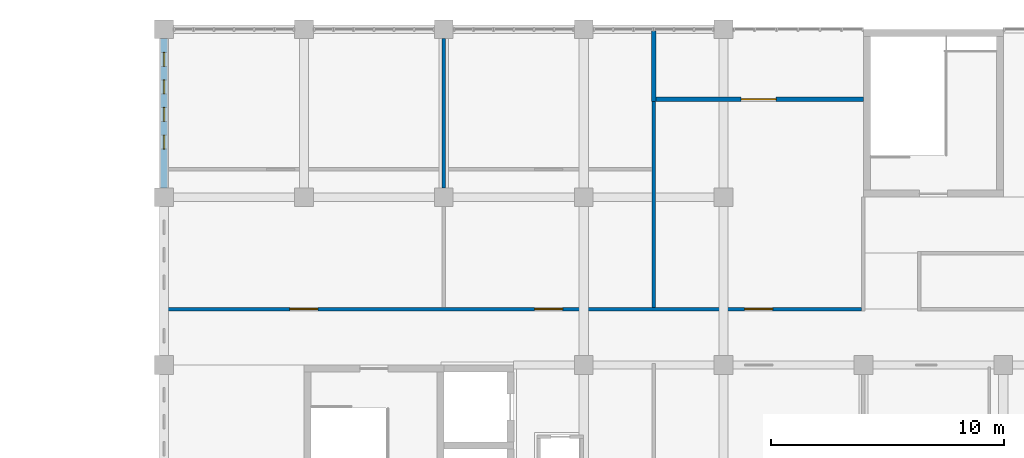
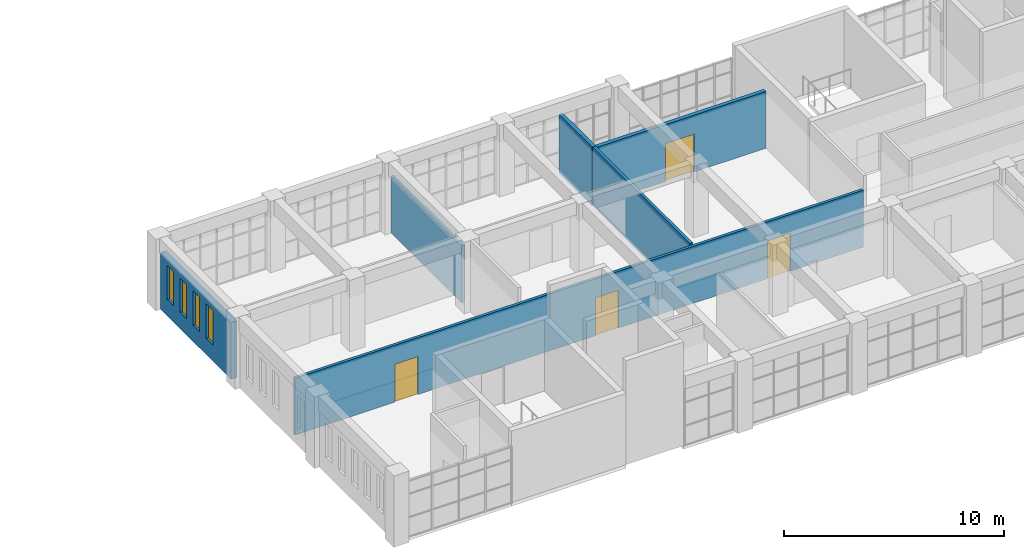
# One storey, part 37 of 51: 6 walls, 4 doors, 4 windows, 8 openings.
"""IFC4 building model written with IfcOpenShell, lengths in metres."""

from ifc_helpers import new_model, si_unit, direction, frame, frame_2d, origin, place, context, subcontext, project, spatial, rectangle, extrude, material, layer, layer_set, type_object, element, fill, save


model = new_model("IFC4")

# Units and contexts
model_context = context("Model", 3, precision=1e-05, world=origin(), true_north=direction((0.0, 1.0)))
body_context = subcontext(model_context, "Body", "Model", "MODEL_VIEW")
ifc_project = project(units=[si_unit("LENGTHUNIT", "METRE"), si_unit("AREAUNIT", "SQUARE_METRE"), si_unit("VOLUMEUNIT", "CUBIC_METRE"), si_unit("PLANEANGLEUNIT", "RADIAN"), si_unit("MASSUNIT", "GRAM", prefix="KILO")], contexts=[model_context])

# Site, building, storey
site_placement = place(None, origin())
site = spatial("IfcSite", under=ifc_project, at=site_placement, CompositionType="ELEMENT")
building_placement = place(site_placement, origin())
building = spatial("IfcBuilding", under=site, at=building_placement, Name="Laocheng Heights Fire and Rescue Headquarters", CompositionType="ELEMENT")
storey_placement = place(building_placement, frame((0.0, 0.0, 21.0)))
storey = spatial("IfcBuildingStorey", under=building, at=storey_placement, Name="L05", CompositionType="ELEMENT", Elevation=21.0)

# Walls
ifc_material_1 = material(Name="Gypsum plaster")
ifc_layer_1 = layer(ifc_material_1, 0.010009765625, Name="PLASTER", Category="plaster")
ifc_material_2 = material(Name="Concrete blockwork MU10", Category="masonry")
ifc_layer_2 = layer(ifc_material_2, 0.1298828125, Name="BLOCKWORK", Category="masonry")
ifc_layer_3 = layer(ifc_material_1, 0.010009765625, Name="PLASTER", Category="plaster")
ifc_layer_set_1 = layer_set([ifc_layer_1, ifc_layer_2, ifc_layer_3], Name="Concrete blockwork MU10")
wall_type_1 = type_object("IfcWallType", Name="BLOCKWORK CORRIDOR WALL 150 EI 60 HQ WING", PredefinedType="PARTITIONING", material=ifc_layer_set_1)
wall_1_placement = place(storey_placement, frame((48.0, 65.199951171875, 0.0), z_axis=(0.0, 0.0, 1.0), x_axis=(0.0, 1.0, 0.0)))
element("IfcWall", 1, at=wall_1_placement, inside=storey, type_object=wall_type_1, Name="Partition L05-003", PredefinedType="PARTITIONING", context=body_context, shape_type="SweptSolid", body=[
    extrude(rectangle(XDim=6.400146484375, YDim=0.14990234375, at=frame_2d((3.2001953125, 0.0))), origin(), (0.0, 0.0, 1.0), 3.14990234375),
])
wall_2_placement = place(storey_placement, frame((57.0, 60.074951171875, 0.0), z_axis=(0.0, 0.0, 1.0), x_axis=(0.0, 1.0, 0.0)))
element("IfcWall", 2, at=wall_2_placement, inside=storey, type_object=wall_type_1, Name="Partition L05-005", PredefinedType="PARTITIONING", context=body_context, shape_type="SweptSolid", body=[
    extrude(rectangle(XDim=9.025146484375, YDim=0.14990234375, at=frame_2d((4.5126953125, 0.0))), origin(), (0.0, 0.0, 1.0), 3.25),
])

# Wall, openings, doors
wall_3_placement = place(storey_placement, frame((36.14990234375, 60.0, 0.0), z_axis=(0.0, 0.0, 1.0), x_axis=(1.0, 0.0, 0.0)))
wall_3 = element("IfcWall", 3, at=wall_3_placement, inside=storey, type_object=wall_type_1, Name="Partition L05-015", PredefinedType="PARTITIONING", context=body_context, shape_type="SweptSolid", body=[
    extrude(rectangle(XDim=29.775146484375, YDim=0.14990234375, at=frame_2d((14.8876953125, 0.0))), origin(), (0.0, 0.0, 1.0), 3.14990234375),
])
opening_1_placement = place(wall_3_placement, frame((5.25, 0.0, 0.0)))
opening_1 = element("IfcOpeningElement", 4, at=opening_1_placement, cuts=wall_3, Name="Opening L05-Y06", PredefinedType="OPENING", context=body_context, shape_type="SweptSolid", body=[
    extrude(rectangle(XDim=1.199951171875, YDim=2.10009765625, at=frame_2d((0.60009765625, 1.050048828125))), frame((0.0, 0.0849609375, 0.0), z_axis=(0.0, -1.0, 0.0), x_axis=(1.0, 0.0, 0.0)), (0.0, 0.0, 1.0), 0.169921875),
])
opening_2_placement = place(wall_3_placement, frame((15.75, 0.0, 0.0)))
opening_2 = element("IfcOpeningElement", 5, at=opening_2_placement, cuts=wall_3, Name="Opening L05-Y07", PredefinedType="OPENING", context=body_context, shape_type="SweptSolid", body=[
    extrude(rectangle(XDim=1.199951171875, YDim=2.10009765625, at=frame_2d((0.60009765625, 1.050048828125))), frame((0.0, 0.0849609375, 0.0), z_axis=(0.0, -1.0, 0.0), x_axis=(1.0, 0.0, 0.0)), (0.0, 0.0, 1.0), 0.169921875),
])
opening_3_placement = place(wall_3_placement, frame((24.75, 0.0, 0.0)))
opening_3 = element("IfcOpeningElement", 6, at=opening_3_placement, cuts=wall_3, Name="Opening L05-Y08", PredefinedType="OPENING", context=body_context, shape_type="SweptSolid", body=[
    extrude(rectangle(XDim=1.199951171875, YDim=2.10009765625, at=frame_2d((0.60009765625, 1.050048828125))), frame((0.0, 0.0849609375, 0.0), z_axis=(0.0, -1.0, 0.0), x_axis=(1.0, 0.0, 0.0)), (0.0, 0.0, 1.0), 0.169921875),
])
ifc_material_3 = material(Name="Timber door leaf, veneered", Category="wood")
door_type_1 = type_object("IfcDoorType", Name="TIMBER DOOR 1200x2100 EI 30 HQ WING", OperationType="SINGLE_SWING_LEFT", PredefinedType="DOOR", material=ifc_material_3)
door_1_placement = place(opening_1_placement, origin())
door_1 = element("IfcDoor", 7, at=door_1_placement, inside=storey, type_object=door_type_1, Name="Door L05-Y06", OperationType="SINGLE_SWING_LEFT", OverallHeight=2.10009765625, OverallWidth=1.199951171875, PredefinedType="DOOR", context=body_context, shape_type="SweptSolid", body=[
    extrude(rectangle(XDim=1.199951171875, YDim=2.10009765625, at=frame_2d((0.60009765625, 1.050048828125))), frame((0.0, 0.02490234375, 0.0), z_axis=(0.0, -1.0, 0.0), x_axis=(1.0, 0.0, 0.0)), (0.0, 0.0, 1.0), 0.050048828125),
])
fill(opening_1, door_1)
door_2_placement = place(opening_2_placement, origin())
door_2 = element("IfcDoor", 8, at=door_2_placement, inside=storey, type_object=door_type_1, Name="Door L05-Y07", OperationType="SINGLE_SWING_LEFT", OverallHeight=2.10009765625, OverallWidth=1.199951171875, PredefinedType="DOOR", context=body_context, shape_type="SweptSolid", body=[
    extrude(rectangle(XDim=1.199951171875, YDim=2.10009765625, at=frame_2d((0.60009765625, 1.050048828125))), frame((0.0, 0.02490234375, 0.0), z_axis=(0.0, -1.0, 0.0), x_axis=(1.0, 0.0, 0.0)), (0.0, 0.0, 1.0), 0.050048828125),
])
fill(opening_2, door_2)
door_3_placement = place(opening_3_placement, frame((1.199951171875, 0.0, 0.0), z_axis=(0.0, 0.0, 1.0), x_axis=(-1.0, 0.0, 0.0)))
door_3 = element("IfcDoor", 9, at=door_3_placement, inside=storey, type_object=door_type_1, Name="Door L05-Y08", OperationType="SINGLE_SWING_RIGHT", OverallHeight=2.10009765625, OverallWidth=1.199951171875, PredefinedType="DOOR", context=body_context, shape_type="SweptSolid", body=[
    extrude(rectangle(XDim=1.199951171875, YDim=2.10009765625, at=frame_2d((0.60009765625, 1.050048828125))), frame((0.0, 0.02490234375, 0.0), z_axis=(0.0, -1.0, 0.0), x_axis=(1.0, 0.0, 0.0)), (0.0, 0.0, 1.0), 0.050048828125),
])
fill(opening_3, door_3)

# Wall
ifc_material_4 = material(Name="Gypsum plaster")
ifc_layer_4 = layer(ifc_material_4, 0.010009765625, Name="PLASTER", Category="plaster")
ifc_material_5 = material(Name="Concrete blockwork MU10", Category="masonry")
ifc_layer_5 = layer(ifc_material_5, 0.179931640625, Name="BLOCKWORK", Category="masonry")
ifc_layer_6 = layer(ifc_material_4, 0.010009765625, Name="PLASTER", Category="plaster")
ifc_layer_set_2 = layer_set([ifc_layer_4, ifc_layer_5, ifc_layer_6], Name="Concrete blockwork MU10")
wall_type_2 = type_object("IfcWallType", Name="BLOCKWORK FIRE PARTITION 200 EI 120 HQ WING", PredefinedType="PARTITIONING", material=ifc_layer_set_2)
wall_4_placement = place(storey_placement, frame((57.0, 68.89990234375, 0.0), z_axis=(0.0, 0.0, 1.0), x_axis=(0.0, 1.0, 0.0)))
element("IfcWall", 10, at=wall_4_placement, inside=storey, type_object=wall_type_2, Name="Partition L05-006", PredefinedType="PARTITIONING", context=body_context, shape_type="SweptSolid", body=[
    extrude(rectangle(XDim=3.025146484375, YDim=0.199951171875, at=frame_2d((1.5126953125, 0.0))), origin(), (0.0, 0.0, 1.0), 3.25),
])

# Wall, opening, door
wall_5_placement = place(storey_placement, frame((57.10009765625, 69.0, 0.0), z_axis=(0.0, 0.0, 1.0), x_axis=(1.0, 0.0, 0.0)))
wall_5 = element("IfcWall", 11, at=wall_5_placement, inside=storey, type_object=wall_type_2, Name="Partition L05-019", PredefinedType="PARTITIONING", context=body_context, shape_type="SweptSolid", body=[
    extrude(rectangle(XDim=8.89990234375, YDim=0.199951171875, at=frame_2d((4.449951171875, 0.0))), origin(), (0.0, 0.0, 1.0), 3.14990234375),
])
opening_4_placement = place(wall_5_placement, frame((3.64990234375, 0.0, 0.0)))
opening_4 = element("IfcOpeningElement", 12, at=opening_4_placement, cuts=wall_5, Name="Opening L05-Y12", PredefinedType="OPENING", context=body_context, shape_type="SweptSolid", body=[
    extrude(rectangle(XDim=1.5, YDim=2.10009765625, at=frame_2d((0.75, 1.050048828125))), frame((0.0, 0.10986328125, 0.0), z_axis=(0.0, -1.0, 0.0), x_axis=(1.0, 0.0, 0.0)), (0.0, 0.0, 1.0), 0.219970703125),
])
ifc_material_6 = material(Name="Steel door leaf, painted", Category="steel")
door_type_2 = type_object("IfcDoorType", Name="STEEL FIRE DOOR 1500x2100 EI 120 HQ WING", OperationType="SINGLE_SWING_LEFT", PredefinedType="DOOR", material=ifc_material_6)
door_4_placement = place(opening_4_placement, origin())
door_4 = element("IfcDoor", 13, at=door_4_placement, inside=storey, type_object=door_type_2, Name="Door L05-Y12", OperationType="SINGLE_SWING_LEFT", OverallHeight=2.10009765625, OverallWidth=1.5, PredefinedType="DOOR", context=body_context, shape_type="SweptSolid", body=[
    extrude(rectangle(XDim=1.5, YDim=2.10009765625, at=frame_2d((0.75, 1.050048828125))), frame((0.0, 0.02490234375, 0.0), z_axis=(0.0, -1.0, 0.0), x_axis=(1.0, 0.0, 0.0)), (0.0, 0.0, 1.0), 0.050048828125),
])
fill(opening_4, door_4)

# Wall, openings, windows
ifc_material_7 = material(Name="Precast concrete C40/50", Category="concrete")
ifc_layer_7 = layer(ifc_material_7, 0.300048828125)
ifc_layer_set_3 = layer_set([ifc_layer_7], Name="Precast concrete C40/50")
wall_type_3 = type_object("IfcWallType", Name="PRECAST WALL PANEL 300", PredefinedType="SOLIDWALL", material=ifc_layer_set_3)
wall_6_placement = place(storey_placement, frame((36.0, 65.199951171875, 0.0), z_axis=(0.0, 0.0, 1.0), x_axis=(0.0, 1.0, 0.0)))
wall_6 = element("IfcWall", 14, at=wall_6_placement, inside=storey, type_object=wall_type_3, Name="PRECAST WALL PANEL HQ WEST L05", PredefinedType="SOLIDWALL", context=body_context, shape_type="SweptSolid", body=[
    extrude(rectangle(XDim=6.400146484375, YDim=0.300048828125, at=frame_2d((3.2001953125, 0.0))), origin(), (0.0, 0.0, 1.0), 3.14990234375),
])
opening_5_placement = place(wall_6_placement, frame((1.6640625, 0.0, 0.89990234375)))
opening_5 = element("IfcOpeningElement", 15, at=opening_5_placement, cuts=wall_6, Name="Opening N1-X", PredefinedType="OPENING", context=body_context, shape_type="SweptSolid", body=[
    extrude(rectangle(XDim=0.60009765625, YDim=1.89990234375, at=frame_2d((0.300048828125, 0.949951171875))), frame((0.0, 0.159912109375, 0.0), z_axis=(0.0, -1.0, 0.0), x_axis=(1.0, 0.0, 0.0)), (0.0, 0.0, 1.0), 0.320068359375),
])
opening_6_placement = place(wall_6_placement, frame((2.847900390625, 0.0, 0.89990234375)))
opening_6 = element("IfcOpeningElement", 16, at=opening_6_placement, cuts=wall_6, Name="Opening N1-X", PredefinedType="OPENING", context=body_context, shape_type="SweptSolid", body=[
    extrude(rectangle(XDim=0.60009765625, YDim=1.89990234375, at=frame_2d((0.300048828125, 0.949951171875))), frame((0.0, 0.159912109375, 0.0), z_axis=(0.0, -1.0, 0.0), x_axis=(1.0, 0.0, 0.0)), (0.0, 0.0, 1.0), 0.320068359375),
])
opening_7_placement = place(wall_6_placement, frame((4.031982421875, 0.0, 0.89990234375)))
opening_7 = element("IfcOpeningElement", 17, at=opening_7_placement, cuts=wall_6, Name="Opening N1-X", PredefinedType="OPENING", context=body_context, shape_type="SweptSolid", body=[
    extrude(rectangle(XDim=0.60009765625, YDim=1.89990234375, at=frame_2d((0.300048828125, 0.949951171875))), frame((0.0, 0.159912109375, 0.0), z_axis=(0.0, -1.0, 0.0), x_axis=(1.0, 0.0, 0.0)), (0.0, 0.0, 1.0), 0.320068359375),
])
opening_8_placement = place(wall_6_placement, frame((5.216064453125, 0.0, 0.89990234375)))
opening_8 = element("IfcOpeningElement", 18, at=opening_8_placement, cuts=wall_6, Name="Opening N1-X", PredefinedType="OPENING", context=body_context, shape_type="SweptSolid", body=[
    extrude(rectangle(XDim=0.60009765625, YDim=1.89990234375, at=frame_2d((0.300048828125, 0.949951171875))), frame((0.0, 0.159912109375, 0.0), z_axis=(0.0, -1.0, 0.0), x_axis=(1.0, 0.0, 0.0)), (0.0, 0.0, 1.0), 0.320068359375),
])
ifc_material_8 = material(Name="Low-e double glazing in aluminium frame", Category="aluminium")
window_type = type_object("IfcWindowType", Name="WINDOW 600 x 1900 HQ END SLOT", PartitioningType="SINGLE_PANEL", PredefinedType="WINDOW", material=ifc_material_8)
window_1_placement = place(opening_5_placement, origin())
window_1 = element("IfcWindow", 19, at=window_1_placement, inside=storey, type_object=window_type, Name="HQ END SLOT HQ WEST L05", OverallHeight=1.89990234375, OverallWidth=0.60009765625, PartitioningType="SINGLE_PANEL", PredefinedType="WINDOW", context=body_context, shape_type="SweptSolid", body=[
    extrude(rectangle(XDim=0.60009765625, YDim=1.89990234375, at=frame_2d((0.300048828125, 0.949951171875))), frame((0.0, 0.030029296875, 0.0), z_axis=(0.0, -1.0, 0.0), x_axis=(1.0, 0.0, 0.0)), (0.0, 0.0, 1.0), 0.06005859375),
])
fill(opening_5, window_1)
window_2_placement = place(opening_6_placement, origin())
window_2 = element("IfcWindow", 20, at=window_2_placement, inside=storey, type_object=window_type, Name="HQ END SLOT HQ WEST L05", OverallHeight=1.89990234375, OverallWidth=0.60009765625, PartitioningType="SINGLE_PANEL", PredefinedType="WINDOW", context=body_context, shape_type="SweptSolid", body=[
    extrude(rectangle(XDim=0.60009765625, YDim=1.89990234375, at=frame_2d((0.300048828125, 0.949951171875))), frame((0.0, 0.030029296875, 0.0), z_axis=(0.0, -1.0, 0.0), x_axis=(1.0, 0.0, 0.0)), (0.0, 0.0, 1.0), 0.06005859375),
])
fill(opening_6, window_2)
window_3_placement = place(opening_7_placement, origin())
window_3 = element("IfcWindow", 21, at=window_3_placement, inside=storey, type_object=window_type, Name="HQ END SLOT HQ WEST L05", OverallHeight=1.89990234375, OverallWidth=0.60009765625, PartitioningType="SINGLE_PANEL", PredefinedType="WINDOW", context=body_context, shape_type="SweptSolid", body=[
    extrude(rectangle(XDim=0.60009765625, YDim=1.89990234375, at=frame_2d((0.300048828125, 0.949951171875))), frame((0.0, 0.030029296875, 0.0), z_axis=(0.0, -1.0, 0.0), x_axis=(1.0, 0.0, 0.0)), (0.0, 0.0, 1.0), 0.06005859375),
])
fill(opening_7, window_3)
window_4_placement = place(opening_8_placement, origin())
window_4 = element("IfcWindow", 22, at=window_4_placement, inside=storey, type_object=window_type, Name="HQ END SLOT HQ WEST L05", OverallHeight=1.89990234375, OverallWidth=0.60009765625, PartitioningType="SINGLE_PANEL", PredefinedType="WINDOW", context=body_context, shape_type="SweptSolid", body=[
    extrude(rectangle(XDim=0.60009765625, YDim=1.89990234375, at=frame_2d((0.300048828125, 0.949951171875))), frame((0.0, 0.030029296875, 0.0), z_axis=(0.0, -1.0, 0.0), x_axis=(1.0, 0.0, 0.0)), (0.0, 0.0, 1.0), 0.06005859375),
])
fill(opening_8, window_4)

save(model, "model.ifc")
